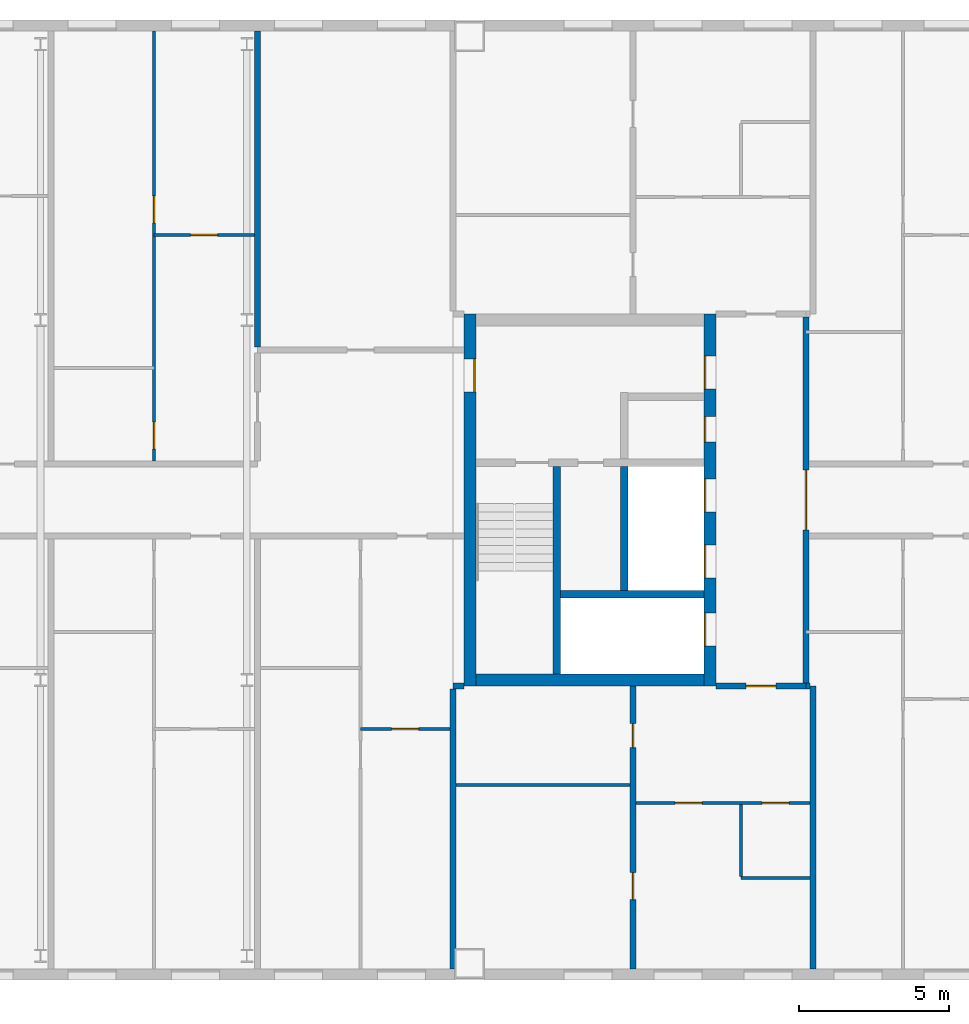
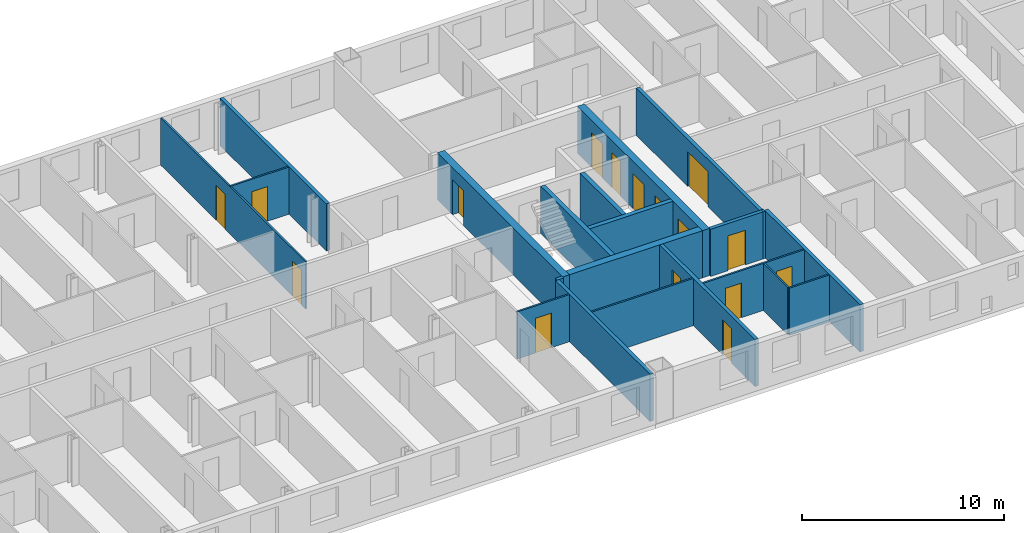
# One storey, part 13 of 19: 21 walls, 16 doors, 16 openings.
"""IFC4 building model written with IfcOpenShell, lengths in metres."""

from ifc_helpers import new_model, si_unit, direction, frame, frame_2d, origin, place, context, subcontext, project, spatial, rectangle, extrude, material, layer, layer_set, type_object, element, fill, save


model = new_model("IFC4")

# Units and contexts
model_context = context("Model", 3, precision=1e-05, world=origin(), true_north=direction((0.0, 1.0)))
body_context = subcontext(model_context, "Body", "Model", "MODEL_VIEW")
ifc_project = project(units=[si_unit("LENGTHUNIT", "METRE"), si_unit("AREAUNIT", "SQUARE_METRE"), si_unit("VOLUMEUNIT", "CUBIC_METRE"), si_unit("PLANEANGLEUNIT", "RADIAN"), si_unit("MASSUNIT", "GRAM", prefix="KILO")], contexts=[model_context])

# Site, building, storey
site_placement = place(None, origin())
site = spatial("IfcSite", under=ifc_project, at=site_placement, CompositionType="ELEMENT")
building_placement = place(site_placement, origin())
building = spatial("IfcBuilding", under=site, at=building_placement, Name="Tuart Gate Housing", CompositionType="ELEMENT")
storey_placement = place(building_placement, frame((0.0, 0.0, 233.800048828125)))
storey = spatial("IfcBuildingStorey", under=building, at=storey_placement, Name="L66", CompositionType="ELEMENT", Elevation=233.800048828125)

# Walls
ifc_material_1 = material(Name="Concrete C40", Category="concrete")
ifc_layer_1 = layer(ifc_material_1, 0.25)
ifc_layer_set_1 = layer_set([ifc_layer_1], Name="Core wall 250 C40")
wall_type_1 = type_object("IfcWallType", Name="Core wall 250 C40", PredefinedType="SHEAR", material=ifc_layer_set_1)
wall_1_placement = place(storey_placement, frame((139.360107421875, 66.85009765625, 0.0), z_axis=(0.0, 0.0, 1.0), x_axis=(-1.0, 0.0, 0.0)))
element("IfcWall", 1, at=wall_1_placement, inside=storey, type_object=wall_type_1, Name="Core wall BG.1", PredefinedType="SHEAR", context=body_context, shape_type="SweptSolid", body=[
    extrude(rectangle(XDim=4.775146484375, YDim=0.25, at=frame_2d((2.3876953125, 0.0))), origin(), (0.0, 0.0, 1.0), 2.849853515625),
])
wall_2_placement = place(storey_placement, frame((136.7099609375, 66.97509765625, 0.0), z_axis=(0.0, 0.0, 1.0), x_axis=(0.0, 1.0, 0.0)))
element("IfcWall", 2, at=wall_2_placement, inside=storey, type_object=wall_type_1, Name="Core wall BG.4", PredefinedType="SHEAR", context=body_context, shape_type="SweptSolid", body=[
    extrude(rectangle(XDim=4.14990234375, YDim=0.25, at=frame_2d((2.074951171875, 0.0))), origin(), (0.0, 0.0, 1.0), 2.849853515625),
])
wall_3_placement = place(storey_placement, frame((134.4599609375, 64.199951171875, 0.0), z_axis=(0.0, 0.0, 1.0), x_axis=(0.0, 1.0, 0.0)))
element("IfcWall", 3, at=wall_3_placement, inside=storey, type_object=wall_type_1, Name="Core wall BG.6", PredefinedType="SHEAR", context=body_context, shape_type="SweptSolid", body=[
    extrude(rectangle(XDim=6.925048828125, YDim=0.25, at=frame_2d((3.46240234375, 0.0))), origin(), (0.0, 0.0, 1.0), 2.849853515625),
])

# Wall, openings, doors
ifc_material_2 = material(Name="Concrete C40", Category="concrete")
ifc_layer_2 = layer(ifc_material_2, 0.39990234375)
ifc_layer_set_2 = layer_set([ifc_layer_2], Name="Core wall 400 C40")
wall_type_2 = type_object("IfcWallType", Name="Core wall 400 C40", PredefinedType="SHEAR", material=ifc_layer_set_2)
wall_4_placement = place(storey_placement, frame((139.56005859375, 63.800048828125, 0.0), z_axis=(0.0, 0.0, 1.0), x_axis=(0.0, 1.0, 0.0)))
wall_4 = element("IfcWall", 4, at=wall_4_placement, inside=storey, type_object=wall_type_2, Name="Core wall BG front", PredefinedType="SHEAR", context=body_context, shape_type="SweptSolid", body=[
    extrude(rectangle(XDim=12.39990234375, YDim=0.39990234375, at=frame_2d((6.199951171875, 0.0))), origin(), (0.0, 0.0, 1.0), 2.849853515625),
])
opening_1_placement = place(wall_4_placement, frame((1.324951171875, 0.0, 0.0)))
opening_1 = element("IfcOpeningElement", 5, at=opening_1_placement, cuts=wall_4, Name="Opening LD-FB1", PredefinedType="OPENING", context=body_context, shape_type="SweptSolid", body=[
    extrude(rectangle(XDim=1.10009765625, YDim=2.10009765625, at=frame_2d((0.550048828125, 1.050048828125))), frame((0.0, 0.2099609375, 0.0), z_axis=(0.0, -1.0, 0.0), x_axis=(1.0, 0.0, 0.0)), (0.0, 0.0, 1.0), 0.419921875),
])
opening_2_placement = place(wall_4_placement, frame((3.60009765625, 0.0, 0.0)))
opening_2 = element("IfcOpeningElement", 6, at=opening_2_placement, cuts=wall_4, Name="Opening LD-LB1", PredefinedType="OPENING", context=body_context, shape_type="SweptSolid", body=[
    extrude(rectangle(XDim=1.10009765625, YDim=2.10009765625, at=frame_2d((0.550048828125, 1.050048828125))), frame((0.0, 0.2099609375, 0.0), z_axis=(0.0, -1.0, 0.0), x_axis=(1.0, 0.0, 0.0)), (0.0, 0.0, 1.0), 0.419921875),
])
opening_3_placement = place(wall_4_placement, frame((5.800048828125, 0.0, 0.0)))
opening_3 = element("IfcOpeningElement", 7, at=opening_3_placement, cuts=wall_4, Name="Opening LD-LB2", PredefinedType="OPENING", context=body_context, shape_type="SweptSolid", body=[
    extrude(rectangle(XDim=1.10009765625, YDim=2.10009765625, at=frame_2d((0.550048828125, 1.050048828125))), frame((0.0, 0.2099609375, 0.0), z_axis=(0.0, -1.0, 0.0), x_axis=(1.0, 0.0, 0.0)), (0.0, 0.0, 1.0), 0.419921875),
])
opening_4_placement = place(wall_4_placement, frame((9.89990234375, 0.0, 0.0)))
opening_4 = element("IfcOpeningElement", 8, at=opening_4_placement, cuts=wall_4, Name="Opening D2578", PredefinedType="OPENING", context=body_context, shape_type="SweptSolid", body=[
    extrude(rectangle(XDim=1.10009765625, YDim=2.10009765625, at=frame_2d((0.550048828125, 1.050048828125))), frame((0.0, 0.2099609375, 0.0), z_axis=(0.0, -1.0, 0.0), x_axis=(1.0, 0.0, 0.0)), (0.0, 0.0, 1.0), 0.419921875),
])
opening_5_placement = place(wall_4_placement, frame((8.125, 0.0, 0.0)))
opening_5 = element("IfcOpeningElement", 9, at=opening_5_placement, cuts=wall_4, Name="Opening D2579", PredefinedType="OPENING", context=body_context, shape_type="SweptSolid", body=[
    extrude(rectangle(XDim=0.85009765625, YDim=2.10009765625, at=frame_2d((0.425048828125, 1.050048828125))), frame((0.0, 0.2099609375, 0.0), z_axis=(0.0, -1.0, 0.0), x_axis=(1.0, 0.0, 0.0)), (0.0, 0.0, 1.0), 0.419921875),
])
ifc_material_3 = material(Name="Stainless steel", Category="steel")
door_type_1 = type_object("IfcDoorType", Name="Landing door 1100 x 2100", OperationType="DOUBLE_DOOR_SLIDING", PredefinedType="DOOR", material=ifc_material_3)
door_1_placement = place(opening_1_placement, origin())
door_1 = element("IfcDoor", 10, at=door_1_placement, inside=storey, type_object=door_type_1, Name="Lift landing door FB1", OperationType="DOUBLE_DOOR_SLIDING", OverallHeight=2.10009765625, OverallWidth=1.10009765625, PredefinedType="DOOR", context=body_context, shape_type="SweptSolid", body=[
    extrude(rectangle(XDim=1.10009765625, YDim=2.10009765625, at=frame_2d((0.550048828125, 1.050048828125))), frame((0.0, 0.18505859375, 0.0), z_axis=(0.0, -1.0, 0.0), x_axis=(1.0, 0.0, 0.0)), (0.0, 0.0, 1.0), 0.050048828125),
])
fill(opening_1, door_1)
door_2_placement = place(opening_2_placement, origin())
door_2 = element("IfcDoor", 11, at=door_2_placement, inside=storey, type_object=door_type_1, Name="Lift landing door LB1", OperationType="DOUBLE_DOOR_SLIDING", OverallHeight=2.10009765625, OverallWidth=1.10009765625, PredefinedType="DOOR", context=body_context, shape_type="SweptSolid", body=[
    extrude(rectangle(XDim=1.10009765625, YDim=2.10009765625, at=frame_2d((0.550048828125, 1.050048828125))), frame((0.0, 0.18505859375, 0.0), z_axis=(0.0, -1.0, 0.0), x_axis=(1.0, 0.0, 0.0)), (0.0, 0.0, 1.0), 0.050048828125),
])
fill(opening_2, door_2)
door_3_placement = place(opening_3_placement, origin())
door_3 = element("IfcDoor", 12, at=door_3_placement, inside=storey, type_object=door_type_1, Name="Lift landing door LB2", OperationType="DOUBLE_DOOR_SLIDING", OverallHeight=2.10009765625, OverallWidth=1.10009765625, PredefinedType="DOOR", context=body_context, shape_type="SweptSolid", body=[
    extrude(rectangle(XDim=1.10009765625, YDim=2.10009765625, at=frame_2d((0.550048828125, 1.050048828125))), frame((0.0, 0.18505859375, 0.0), z_axis=(0.0, -1.0, 0.0), x_axis=(1.0, 0.0, 0.0)), (0.0, 0.0, 1.0), 0.050048828125),
])
fill(opening_3, door_3)
ifc_material_4 = material(Name="Steel fire door", Category="steel")
door_type_2 = type_object("IfcDoorType", Name="Lobby door 1100 x 2100", OperationType="SINGLE_SWING_LEFT", PredefinedType="DOOR", material=ifc_material_4)
door_4_placement = place(opening_4_placement, origin())
door_4 = element("IfcDoor", 13, at=door_4_placement, inside=storey, type_object=door_type_2, Name="Lobby entry door BG.EN", OperationType="SINGLE_SWING_LEFT", OverallHeight=2.10009765625, OverallWidth=1.10009765625, PredefinedType="DOOR", context=body_context, shape_type="SweptSolid", body=[
    extrude(rectangle(XDim=1.10009765625, YDim=2.10009765625, at=frame_2d((0.550048828125, 1.050048828125))), frame((0.0, 0.18505859375, 0.0), z_axis=(0.0, -1.0, 0.0), x_axis=(1.0, 0.0, 0.0)), (0.0, 0.0, 1.0), 0.050048828125),
])
fill(opening_4, door_4)
ifc_material_5 = material(Name="Steel fire door", Category="steel")
door_type_3 = type_object("IfcDoorType", Name="Service door 850 x 2100", OperationType="SINGLE_SWING_LEFT", PredefinedType="DOOR", material=ifc_material_5)
door_5_placement = place(opening_5_placement, origin())
door_5 = element("IfcDoor", 14, at=door_5_placement, inside=storey, type_object=door_type_3, Name="Service room door BG.T1", OperationType="SINGLE_SWING_LEFT", OverallHeight=2.10009765625, OverallWidth=0.85009765625, PredefinedType="DOOR", context=body_context, shape_type="SweptSolid", body=[
    extrude(rectangle(XDim=0.85009765625, YDim=2.10009765625, at=frame_2d((0.425048828125, 1.050048828125))), frame((0.0, 0.18505859375, 0.0), z_axis=(0.0, -1.0, 0.0), x_axis=(1.0, 0.0, 0.0)), (0.0, 0.0, 1.0), 0.050048828125),
])
fill(opening_5, door_5)

# Wall, opening, door
wall_5_placement = place(storey_placement, frame((131.56005859375, 63.800048828125, 0.0), z_axis=(0.0, 0.0, 1.0), x_axis=(0.0, 1.0, 0.0)))
wall_5 = element("IfcWall", 15, at=wall_5_placement, inside=storey, type_object=wall_type_2, Name="Core wall BG back", PredefinedType="SHEAR", context=body_context, shape_type="SweptSolid", body=[
    extrude(rectangle(XDim=12.39990234375, YDim=0.39990234375, at=frame_2d((6.199951171875, 0.0))), origin(), (0.0, 0.0, 1.0), 2.849853515625),
])
opening_6_placement = place(wall_5_placement, frame((9.800048828125, 0.0, 0.0)))
opening_6 = element("IfcOpeningElement", 16, at=opening_6_placement, cuts=wall_5, Name="Opening D2577", PredefinedType="OPENING", context=body_context, shape_type="SweptSolid", body=[
    extrude(rectangle(XDim=1.10009765625, YDim=2.10009765625, at=frame_2d((0.550048828125, 1.050048828125))), frame((0.0, 0.2099609375, 0.0), z_axis=(0.0, -1.0, 0.0), x_axis=(1.0, 0.0, 0.0)), (0.0, 0.0, 1.0), 0.419921875),
])
door_6_placement = place(opening_6_placement, frame((1.10009765625, 0.0, 0.0), z_axis=(0.0, 0.0, 1.0), x_axis=(-1.0, 0.0, 0.0)))
door_6 = element("IfcDoor", 17, at=door_6_placement, inside=storey, type_object=door_type_2, Name="Link door BG.LK", OperationType="SINGLE_SWING_LEFT", OverallHeight=2.10009765625, OverallWidth=1.10009765625, PredefinedType="DOOR", context=body_context, shape_type="SweptSolid", body=[
    extrude(rectangle(XDim=1.10009765625, YDim=2.10009765625, at=frame_2d((0.550048828125, 1.050048828125))), frame((0.0, 0.184814453125, 0.0), z_axis=(0.0, -1.0, 0.0), x_axis=(1.0, 0.0, 0.0)), (0.0, 0.0, 1.0), 0.050048828125),
])
fill(opening_6, door_6)

# Wall
wall_6_placement = place(storey_placement, frame((139.360107421875, 64.0, 0.0), z_axis=(0.0, 0.0, 1.0), x_axis=(-1.0, 0.0, 0.0)))
element("IfcWall", 18, at=wall_6_placement, inside=storey, type_object=wall_type_2, Name="Core wall BG south", PredefinedType="SHEAR", context=body_context, shape_type="SweptSolid", body=[
    extrude(rectangle(XDim=7.60009765625, YDim=0.39990234375, at=frame_2d((3.800048828125, 0.0))), origin(), (0.0, 0.0, 1.0), 2.849853515625),
])

# Wall, opening, door
ifc_material_6 = material(Name="Concrete masonry 15 MPa", Category="masonry")
ifc_layer_3 = layer(ifc_material_6, 0.199951171875)
ifc_layer_set_3 = layer_set([ifc_layer_3], Name="Enclosure wall masonry 200")
wall_type_3 = type_object("IfcWallType", Name="Enclosure wall masonry 200", PredefinedType="PARTITIONING", material=ifc_layer_set_3)
wall_7_placement = place(storey_placement, frame((139.760009765625, 63.800048828125, 0.0), z_axis=(0.0, 0.0, 1.0), x_axis=(1.0, 0.0, 0.0)))
wall_7 = element("IfcWall", 19, at=wall_7_placement, inside=storey, type_object=wall_type_3, Name="Enclosure wall masonry 200", PredefinedType="PARTITIONING", context=body_context, shape_type="SweptSolid", body=[
    extrude(rectangle(XDim=3.0, YDim=0.199951171875, at=frame_2d((1.5, 0.0))), origin(), (0.0, 0.0, 1.0), 2.849853515625),
])
opening_7_placement = place(wall_7_placement, frame((1.0, 0.0, 0.0)))
opening_7 = element("IfcOpeningElement", 20, at=opening_7_placement, cuts=wall_7, Name="Opening D2590", PredefinedType="OPENING", context=body_context, shape_type="SweptSolid", body=[
    extrude(rectangle(XDim=1.0, YDim=2.10009765625, at=frame_2d((0.5, 1.050048828125))), frame((0.0, 0.10986328125, 0.0), z_axis=(0.0, -1.0, 0.0), x_axis=(1.0, 0.0, 0.0)), (0.0, 0.0, 1.0), 0.219970703125),
])
ifc_material_7 = material(Name="Timber door leaf in steel frame", Category="steel")
door_type_4 = type_object("IfcDoorType", Name="Flat entrance door 1000", OperationType="SINGLE_SWING_LEFT", PredefinedType="DOOR", material=ifc_material_7)
door_7_placement = place(opening_7_placement, frame((1.0, 0.0, 0.0), z_axis=(0.0, 0.0, 1.0), x_axis=(-1.0, 0.0, 0.0)))
door_7 = element("IfcDoor", 21, at=door_7_placement, inside=storey, type_object=door_type_4, Name="Flat entrance door", OperationType="SINGLE_SWING_LEFT", OverallHeight=2.10009765625, OverallWidth=1.0, PredefinedType="DOOR", context=body_context, shape_type="SweptSolid", body=[
    extrude(rectangle(XDim=1.0, YDim=2.10009765625, at=frame_2d((0.5, 1.050048828125))), frame((0.0, 0.025146484375, 0.0), z_axis=(0.0, -1.0, 0.0), x_axis=(1.0, 0.0, 0.0)), (0.0, 0.0, 1.0), 0.050048828125),
])
fill(opening_7, door_7)

ifc_material_8 = material(Name="Plasterboard partition")
ifc_layer_4 = layer(ifc_material_8, 0.199951171875)
ifc_layer_set_4 = layer_set([ifc_layer_4], Name="Lobby wall 200")
wall_type_4 = type_object("IfcWallType", Name="Lobby wall 200", PredefinedType="PARTITIONING", material=ifc_layer_set_4)
wall_8_placement = place(storey_placement, frame((142.760009765625, 63.89990234375, 0.0), z_axis=(0.0, 0.0, 1.0), x_axis=(0.0, 1.0, 0.0)))
wall_8 = element("IfcWall", 22, at=wall_8_placement, inside=storey, type_object=wall_type_4, Name="Lift lobby wall BG", PredefinedType="PARTITIONING", context=body_context, shape_type="SweptSolid", body=[
    extrude(rectangle(XDim=12.2001953125, YDim=0.199951171875, at=frame_2d((6.10009765625, 0.0))), origin(), (0.0, 0.0, 1.0), 2.849853515625),
])
opening_8_placement = place(wall_8_placement, frame((5.10009765625, 0.0, 0.0)))
opening_8 = element("IfcOpeningElement", 23, at=opening_8_placement, cuts=wall_8, Name="Opening D2580", PredefinedType="OPENING", context=body_context, shape_type="SweptSolid", body=[
    extrude(rectangle(XDim=2.0, YDim=2.10009765625, at=frame_2d((1.0, 1.050048828125))), frame((0.0, 0.10986328125, 0.0), z_axis=(0.0, -1.0, 0.0), x_axis=(1.0, 0.0, 0.0)), (0.0, 0.0, 1.0), 0.219970703125),
])
ifc_material_9 = material(Name="Steel fire door", Category="steel")
door_type_5 = type_object("IfcDoorType", Name="Smoke door 2000 x 2100", OperationType="DOUBLE_DOOR_SINGLE_SWING", PredefinedType="DOOR", material=ifc_material_9)
door_8_placement = place(opening_8_placement, origin())
door_8 = element("IfcDoor", 24, at=door_8_placement, inside=storey, type_object=door_type_5, Name="Lift lobby smoke door BG", OperationType="DOUBLE_DOOR_SINGLE_SWING", OverallHeight=2.10009765625, OverallWidth=2.0, PredefinedType="DOOR", context=body_context, shape_type="SweptSolid", body=[
    extrude(rectangle(XDim=2.0, YDim=2.10009765625, at=frame_2d((1.0, 1.050048828125))), frame((0.0, 0.02490234375, 0.0), z_axis=(0.0, -1.0, 0.0), x_axis=(1.0, 0.0, 0.0)), (0.0, 0.0, 1.0), 0.050048828125),
])
fill(opening_8, door_8)

# Wall
ifc_material_10 = material(Name="Gypsum board on steel studs", Category="steel")
ifc_layer_5 = layer(ifc_material_10, 0.10009765625)
ifc_layer_set_5 = layer_set([ifc_layer_5], Name="Partition 100")
wall_type_5 = type_object("IfcWallType", Name="Partition 100", PredefinedType="PARTITIONING", material=ifc_layer_set_5)
wall_9_placement = place(storey_placement, frame((140.60009765625, 57.39990234375, 0.0), z_axis=(0.0, 0.0, 1.0), x_axis=(1.0, 0.0, 0.0)))
element("IfcWall", 25, at=wall_9_placement, inside=storey, type_object=wall_type_5, Name="Partition 100", PredefinedType="PARTITIONING", context=body_context, shape_type="SweptSolid", body=[
    extrude(rectangle(XDim=2.2998046875, YDim=0.10009765625, at=frame_2d((1.14990234375, 0.0))), origin(), (0.0, 0.0, 1.0), 2.849853515625),
])

# Wall, openings, doors
wall_10_placement = place(storey_placement, frame((137.10009765625, 59.89990234375, 0.0), z_axis=(0.0, 0.0, 1.0), x_axis=(1.0, 0.0, 0.0)))
wall_10 = element("IfcWall", 26, at=wall_10_placement, inside=storey, type_object=wall_type_5, Name="Partition 100", PredefinedType="PARTITIONING", context=body_context, shape_type="SweptSolid", body=[
    extrude(rectangle(XDim=5.7998046875, YDim=0.10009765625, at=frame_2d((2.89990234375, 0.0))), origin(), (0.0, 0.0, 1.0), 2.849853515625),
])
opening_9_placement = place(wall_10_placement, frame((1.300048828125, 0.0, 0.0)))
opening_9 = element("IfcOpeningElement", 27, at=opening_9_placement, cuts=wall_10, Name="Opening D2600", PredefinedType="OPENING", context=body_context, shape_type="SweptSolid", body=[
    extrude(rectangle(XDim=0.89990234375, YDim=2.10009765625, at=frame_2d((0.449951171875, 1.050048828125))), frame((0.0, 0.06005859375, 0.0), z_axis=(0.0, -1.0, 0.0), x_axis=(1.0, 0.0, 0.0)), (0.0, 0.0, 1.0), 0.1201171875),
])
opening_10_placement = place(wall_10_placement, frame((4.199951171875, 0.0, 0.0)))
opening_10 = element("IfcOpeningElement", 28, at=opening_10_placement, cuts=wall_10, Name="Opening D2599", PredefinedType="OPENING", context=body_context, shape_type="SweptSolid", body=[
    extrude(rectangle(XDim=0.89990234375, YDim=2.10009765625, at=frame_2d((0.449951171875, 1.050048828125))), frame((0.0, 0.06005859375, 0.0), z_axis=(0.0, -1.0, 0.0), x_axis=(1.0, 0.0, 0.0)), (0.0, 0.0, 1.0), 0.1201171875),
])
ifc_material_11 = material(Name="Timber door leaf in steel frame", Category="steel")
door_type_6 = type_object("IfcDoorType", Name="Bathroom door 900 RH", OperationType="SINGLE_SWING_RIGHT", PredefinedType="DOOR", material=ifc_material_11)
door_9_placement = place(opening_10_placement, frame((0.89990234375, 0.0, 0.0), z_axis=(0.0, 0.0, 1.0), x_axis=(-1.0, 0.0, 0.0)))
door_9 = element("IfcDoor", 29, at=door_9_placement, inside=storey, type_object=door_type_6, Name="Bathroom door", OperationType="SINGLE_SWING_RIGHT", OverallHeight=2.10009765625, OverallWidth=0.89990234375, PredefinedType="DOOR", context=body_context, shape_type="SweptSolid", body=[
    extrude(rectangle(XDim=0.89990234375, YDim=2.10009765625, at=frame_2d((0.449951171875, 1.050048828125))), frame((0.0, 0.025146484375, 0.0), z_axis=(0.0, -1.0, 0.0), x_axis=(1.0, 0.0, 0.0)), (0.0, 0.0, 1.0), 0.050048828125),
])
fill(opening_10, door_9)
ifc_material_12 = material(Name="Timber door leaf in steel frame", Category="steel")
door_type_7 = type_object("IfcDoorType", Name="Internal door 900", OperationType="SINGLE_SWING_LEFT", PredefinedType="DOOR", material=ifc_material_12)
door_10_placement = place(opening_9_placement, origin())
door_10 = element("IfcDoor", 30, at=door_10_placement, inside=storey, type_object=door_type_7, Name="Internal door", OperationType="SINGLE_SWING_LEFT", OverallHeight=2.10009765625, OverallWidth=0.89990234375, PredefinedType="DOOR", context=body_context, shape_type="SweptSolid", body=[
    extrude(rectangle(XDim=0.89990234375, YDim=2.10009765625, at=frame_2d((0.449951171875, 1.050048828125))), frame((0.0, 0.02490234375, 0.0), z_axis=(0.0, -1.0, 0.0), x_axis=(1.0, 0.0, 0.0)), (0.0, 0.0, 1.0), 0.050048828125),
])
fill(opening_9, door_10)

# Wall
wall_11_placement = place(storey_placement, frame((131.10009765625, 60.5, 0.0), z_axis=(0.0, 0.0, 1.0), x_axis=(1.0, 0.0, 0.0)))
element("IfcWall", 31, at=wall_11_placement, inside=storey, type_object=wall_type_5, Name="Partition 100", PredefinedType="PARTITIONING", context=body_context, shape_type="SweptSolid", body=[
    extrude(rectangle(XDim=5.7998046875, YDim=0.10009765625, at=frame_2d((2.89990234375, 0.0))), origin(), (0.0, 0.0, 1.0), 2.849853515625),
])

# Wall, opening, door
wall_12_placement = place(storey_placement, frame((127.912109375, 62.360107421875, 0.0), z_axis=(0.0, 0.0, 1.0), x_axis=(1.0, 0.0, 0.0)))
wall_12 = element("IfcWall", 32, at=wall_12_placement, inside=storey, type_object=wall_type_5, Name="Partition 100", PredefinedType="PARTITIONING", context=body_context, shape_type="SweptSolid", body=[
    extrude(rectangle(XDim=2.98779296875, YDim=0.10009765625, at=frame_2d((1.493896484375, 0.0))), origin(), (0.0, 0.0, 1.0), 2.849853515625),
])
opening_11_placement = place(wall_12_placement, frame((1.0439453125, 0.0, 0.0)))
opening_11 = element("IfcOpeningElement", 33, at=opening_11_placement, cuts=wall_12, Name="Opening D2535", PredefinedType="OPENING", context=body_context, shape_type="SweptSolid", body=[
    extrude(rectangle(XDim=0.89990234375, YDim=2.10009765625, at=frame_2d((0.449951171875, 1.050048828125))), frame((0.0, 0.06005859375, 0.0), z_axis=(0.0, -1.0, 0.0), x_axis=(1.0, 0.0, 0.0)), (0.0, 0.0, 1.0), 0.1201171875),
])
door_11_placement = place(opening_11_placement, origin())
door_11 = element("IfcDoor", 34, at=door_11_placement, inside=storey, type_object=door_type_7, Name="Internal door", OperationType="SINGLE_SWING_LEFT", OverallHeight=2.10009765625, OverallWidth=0.89990234375, PredefinedType="DOOR", context=body_context, shape_type="SweptSolid", body=[
    extrude(rectangle(XDim=0.89990234375, YDim=2.10009765625, at=frame_2d((0.449951171875, 1.050048828125))), frame((0.0, 0.02490234375, 0.0), z_axis=(0.0, -1.0, 0.0), x_axis=(1.0, 0.0, 0.0)), (0.0, 0.0, 1.0), 0.050048828125),
])
fill(opening_11, door_11)

wall_13_placement = place(storey_placement, frame((121.037109375, 78.840087890625, 0.0), z_axis=(0.0, 0.0, 1.0), x_axis=(1.0, 0.0, 0.0)))
wall_13 = element("IfcWall", 35, at=wall_13_placement, inside=storey, type_object=wall_type_5, Name="Partition 100", PredefinedType="PARTITIONING", context=body_context, shape_type="SweptSolid", body=[
    extrude(rectangle(XDim=3.337890625, YDim=0.10009765625, at=frame_2d((1.6689453125, 0.0))), origin(), (0.0, 0.0, 1.0), 2.849853515625),
])
opening_12_placement = place(wall_13_placement, frame((1.218994140625, 0.0, 0.0)))
opening_12 = element("IfcOpeningElement", 36, at=opening_12_placement, cuts=wall_13, Name="Opening D2502", PredefinedType="OPENING", context=body_context, shape_type="SweptSolid", body=[
    extrude(rectangle(XDim=0.89990234375, YDim=2.10009765625, at=frame_2d((0.449951171875, 1.050048828125))), frame((0.0, 0.06005859375, 0.0), z_axis=(0.0, -1.0, 0.0), x_axis=(1.0, 0.0, 0.0)), (0.0, 0.0, 1.0), 0.1201171875),
])
ifc_material_13 = material(Name="Timber door leaf in steel frame", Category="steel")
door_type_8 = type_object("IfcDoorType", Name="Internal door 900 RH", OperationType="SINGLE_SWING_RIGHT", PredefinedType="DOOR", material=ifc_material_13)
door_12_placement = place(opening_12_placement, frame((0.89990234375, 0.0, 0.0), z_axis=(0.0, 0.0, 1.0), x_axis=(-1.0, 0.0, 0.0)))
door_12 = element("IfcDoor", 37, at=door_12_placement, inside=storey, type_object=door_type_8, Name="Internal door", OperationType="SINGLE_SWING_RIGHT", OverallHeight=2.10009765625, OverallWidth=0.89990234375, PredefinedType="DOOR", context=body_context, shape_type="SweptSolid", body=[
    extrude(rectangle(XDim=0.89990234375, YDim=2.10009765625, at=frame_2d((0.449951171875, 1.050048828125))), frame((0.0, 0.025146484375, 0.0), z_axis=(0.0, -1.0, 0.0), x_axis=(1.0, 0.0, 0.0)), (0.0, 0.0, 1.0), 0.050048828125),
])
fill(opening_12, door_12)

# Wall, openings, doors
wall_14_placement = place(storey_placement, frame((121.037109375, 71.300048828125, 0.0), z_axis=(0.0, 0.0, 1.0), x_axis=(0.0, 1.0, 0.0)))
wall_14 = element("IfcWall", 38, at=wall_14_placement, inside=storey, type_object=wall_type_5, Name="Partition 100", PredefinedType="PARTITIONING", context=body_context, shape_type="SweptSolid", body=[
    extrude(rectangle(XDim=14.33984375, YDim=0.10009765625, at=frame_2d((7.169921875, 0.0))), origin(), (0.0, 0.0, 1.0), 2.849853515625),
])
opening_13_placement = place(wall_14_placement, frame((7.93994140625, 0.0, 0.0)))
opening_13 = element("IfcOpeningElement", 39, at=opening_13_placement, cuts=wall_14, Name="Opening D2516", PredefinedType="OPENING", context=body_context, shape_type="SweptSolid", body=[
    extrude(rectangle(XDim=0.89990234375, YDim=2.10009765625, at=frame_2d((0.449951171875, 1.050048828125))), frame((0.0, 0.06005859375, 0.0), z_axis=(0.0, -1.0, 0.0), x_axis=(1.0, 0.0, 0.0)), (0.0, 0.0, 1.0), 0.1201171875),
])
opening_14_placement = place(wall_14_placement, frame((0.39990234375, 0.0, 0.0)))
opening_14 = element("IfcOpeningElement", 40, at=opening_14_placement, cuts=wall_14, Name="Opening D2515", PredefinedType="OPENING", context=body_context, shape_type="SweptSolid", body=[
    extrude(rectangle(XDim=0.89990234375, YDim=2.10009765625, at=frame_2d((0.449951171875, 1.050048828125))), frame((0.0, 0.06005859375, 0.0), z_axis=(0.0, -1.0, 0.0), x_axis=(1.0, 0.0, 0.0)), (0.0, 0.0, 1.0), 0.1201171875),
])
ifc_material_14 = material(Name="Timber door leaf in steel frame", Category="steel")
door_type_9 = type_object("IfcDoorType", Name="Bathroom door 900", OperationType="SINGLE_SWING_LEFT", PredefinedType="DOOR", material=ifc_material_14)
door_13_placement = place(opening_14_placement, origin())
door_13 = element("IfcDoor", 41, at=door_13_placement, inside=storey, type_object=door_type_9, Name="Bathroom door", OperationType="SINGLE_SWING_LEFT", OverallHeight=2.10009765625, OverallWidth=0.89990234375, PredefinedType="DOOR", context=body_context, shape_type="SweptSolid", body=[
    extrude(rectangle(XDim=0.89990234375, YDim=2.10009765625, at=frame_2d((0.449951171875, 1.050048828125))), frame((0.0, 0.02490234375, 0.0), z_axis=(0.0, -1.0, 0.0), x_axis=(1.0, 0.0, 0.0)), (0.0, 0.0, 1.0), 0.050048828125),
])
fill(opening_14, door_13)
door_14_placement = place(opening_13_placement, origin())
door_14 = element("IfcDoor", 42, at=door_14_placement, inside=storey, type_object=door_type_7, Name="Internal door", OperationType="SINGLE_SWING_LEFT", OverallHeight=2.10009765625, OverallWidth=0.89990234375, PredefinedType="DOOR", context=body_context, shape_type="SweptSolid", body=[
    extrude(rectangle(XDim=0.89990234375, YDim=2.10009765625, at=frame_2d((0.449951171875, 1.050048828125))), frame((0.0, 0.02490234375, 0.0), z_axis=(0.0, -1.0, 0.0), x_axis=(1.0, 0.0, 0.0)), (0.0, 0.0, 1.0), 0.050048828125),
])
fill(opening_13, door_14)

# Wall
wall_15_placement = place(storey_placement, frame((140.60009765625, 57.449951171875, 0.0), z_axis=(0.0, 0.0, 1.0), x_axis=(0.0, 1.0, 0.0)))
element("IfcWall", 43, at=wall_15_placement, inside=storey, type_object=wall_type_5, Name="Partition 100", PredefinedType="PARTITIONING", context=body_context, shape_type="SweptSolid", body=[
    extrude(rectangle(XDim=2.400146484375, YDim=0.10009765625, at=frame_2d((1.2001953125, 0.0))), origin(), (0.0, 0.0, 1.0), 2.849853515625),
])

# Wall, openings, doors
ifc_material_15 = material(Name="Concrete C40", Category="concrete")
ifc_layer_6 = layer(ifc_material_15, 0.199951171875)
ifc_layer_set_6 = layer_set([ifc_layer_6], Name="Party wall concrete C40 200")
wall_type_6 = type_object("IfcWallType", Name="Party wall concrete C40 200", PredefinedType="SOLIDWALL", material=ifc_layer_set_6)
wall_16_placement = place(storey_placement, frame((137.0, 54.360107421875, 0.0), z_axis=(0.0, 0.0, 1.0), x_axis=(0.0, 1.0, 0.0)))
wall_16 = element("IfcWall", 44, at=wall_16_placement, inside=storey, type_object=wall_type_6, Name="Party wall concrete C40 200", PredefinedType="SOLIDWALL", context=body_context, shape_type="SweptSolid", body=[
    extrude(rectangle(XDim=9.43994140625, YDim=0.199951171875, at=frame_2d((4.719970703125, 0.0))), origin(), (0.0, 0.0, 1.0), 2.849853515625),
])
opening_15_placement = place(wall_16_placement, frame((2.320068359375, 0.0, 0.0)))
opening_15 = element("IfcOpeningElement", 45, at=opening_15_placement, cuts=wall_16, Name="Opening D2602", PredefinedType="OPENING", context=body_context, shape_type="SweptSolid", body=[
    extrude(rectangle(XDim=0.89990234375, YDim=2.10009765625, at=frame_2d((0.449951171875, 1.050048828125))), frame((0.0, 0.10986328125, 0.0), z_axis=(0.0, -1.0, 0.0), x_axis=(1.0, 0.0, 0.0)), (0.0, 0.0, 1.0), 0.219970703125),
])
opening_16_placement = place(wall_16_placement, frame((7.389892578125, 0.0, 0.0)))
opening_16 = element("IfcOpeningElement", 46, at=opening_16_placement, cuts=wall_16, Name="Opening D2603", PredefinedType="OPENING", context=body_context, shape_type="SweptSolid", body=[
    extrude(rectangle(XDim=0.800048828125, YDim=2.10009765625, at=frame_2d((0.39990234375, 1.050048828125))), frame((0.0, 0.10986328125, 0.0), z_axis=(0.0, -1.0, 0.0), x_axis=(1.0, 0.0, 0.0)), (0.0, 0.0, 1.0), 0.219970703125),
])
door_15_placement = place(opening_15_placement, origin())
door_15 = element("IfcDoor", 47, at=door_15_placement, inside=storey, type_object=door_type_7, Name="Internal door", OperationType="SINGLE_SWING_LEFT", OverallHeight=2.10009765625, OverallWidth=0.89990234375, PredefinedType="DOOR", context=body_context, shape_type="SweptSolid", body=[
    extrude(rectangle(XDim=0.89990234375, YDim=2.10009765625, at=frame_2d((0.449951171875, 1.050048828125))), frame((0.0, 0.02490234375, 0.0), z_axis=(0.0, -1.0, 0.0), x_axis=(1.0, 0.0, 0.0)), (0.0, 0.0, 1.0), 0.050048828125),
])
fill(opening_15, door_15)
ifc_material_16 = material(Name="Timber door leaf in steel frame", Category="steel")
door_type_10 = type_object("IfcDoorType", Name="Store door 800", OperationType="SINGLE_SWING_LEFT", PredefinedType="DOOR", material=ifc_material_16)
door_16_placement = place(opening_16_placement, origin())
door_16 = element("IfcDoor", 48, at=door_16_placement, inside=storey, type_object=door_type_10, Name="Store door", OperationType="SINGLE_SWING_LEFT", OverallHeight=2.10009765625, OverallWidth=0.800048828125, PredefinedType="DOOR", context=body_context, shape_type="SweptSolid", body=[
    extrude(rectangle(XDim=0.800048828125, YDim=2.10009765625, at=frame_2d((0.39990234375, 1.050048828125))), frame((0.0, 0.02490234375, 0.0), z_axis=(0.0, -1.0, 0.0), x_axis=(1.0, 0.0, 0.0)), (0.0, 0.0, 1.0), 0.050048828125),
])
fill(opening_16, door_16)

# Walls
wall_17_placement = place(storey_placement, frame((143.0, 54.360107421875, 0.0), z_axis=(0.0, 0.0, 1.0), x_axis=(0.0, 1.0, 0.0)))
element("IfcWall", 49, at=wall_17_placement, inside=storey, type_object=wall_type_6, Name="Party wall concrete C40 200", PredefinedType="SOLIDWALL", context=body_context, shape_type="SweptSolid", body=[
    extrude(rectangle(XDim=9.43994140625, YDim=0.199951171875, at=frame_2d((4.719970703125, 0.0))), origin(), (0.0, 0.0, 1.0), 2.849853515625),
])
ifc_material_17 = material(Name="Concrete masonry 15 MPa", Category="masonry")
ifc_layer_7 = layer(ifc_material_17, 0.199951171875)
ifc_layer_set_7 = layer_set([ifc_layer_7], Name="Party wall masonry 200")
wall_type_7 = type_object("IfcWallType", Name="Party wall masonry 200", PredefinedType="PARTITIONING", material=ifc_layer_set_7)
wall_18_placement = place(storey_placement, frame((131.0, 63.800048828125, 0.0), z_axis=(0.0, 0.0, 1.0), x_axis=(1.0, 0.0, 0.0)))
element("IfcWall", 50, at=wall_18_placement, inside=storey, type_object=wall_type_7, Name="Party wall masonry 200", PredefinedType="PARTITIONING", context=body_context, shape_type="SweptSolid", body=[
    extrude(rectangle(XDim=0.360107421875, YDim=0.199951171875, at=frame_2d((0.18017578125, 0.0))), origin(), (0.0, 0.0, 1.0), 2.849853515625),
])
wall_19_placement = place(storey_placement, frame((142.760009765625, 63.800048828125, 0.0), z_axis=(0.0, 0.0, 1.0), x_axis=(1.0, 0.0, 0.0)))
element("IfcWall", 51, at=wall_19_placement, inside=storey, type_object=wall_type_7, Name="Party wall masonry 200", PredefinedType="PARTITIONING", context=body_context, shape_type="SweptSolid", body=[
    extrude(rectangle(XDim=0.139892578125, YDim=0.199951171875, at=frame_2d((0.06982421875, 0.0))), origin(), (0.0, 0.0, 1.0), 2.849853515625),
])
wall_20_placement = place(storey_placement, frame((124.47509765625, 75.10009765625, 0.0), z_axis=(0.0, 0.0, 1.0), x_axis=(0.0, 1.0, 0.0)))
element("IfcWall", 52, at=wall_20_placement, inside=storey, type_object=wall_type_7, Name="Party wall masonry 200", PredefinedType="PARTITIONING", context=body_context, shape_type="SweptSolid", body=[
    extrude(rectangle(XDim=10.539794921875, YDim=0.199951171875, at=frame_2d((5.27001953125, 0.0))), origin(), (0.0, 0.0, 1.0), 2.849853515625),
])
wall_21_placement = place(storey_placement, frame((131.0, 54.360107421875, 0.0), z_axis=(0.0, 0.0, 1.0), x_axis=(0.0, 1.0, 0.0)))
element("IfcWall", 53, at=wall_21_placement, inside=storey, type_object=wall_type_7, Name="Party wall masonry 200", PredefinedType="PARTITIONING", context=body_context, shape_type="SweptSolid", body=[
    extrude(rectangle(XDim=9.33984375, YDim=0.199951171875, at=frame_2d((4.669921875, 0.0))), origin(), (0.0, 0.0, 1.0), 2.849853515625),
])

save(model, "model.ifc")
